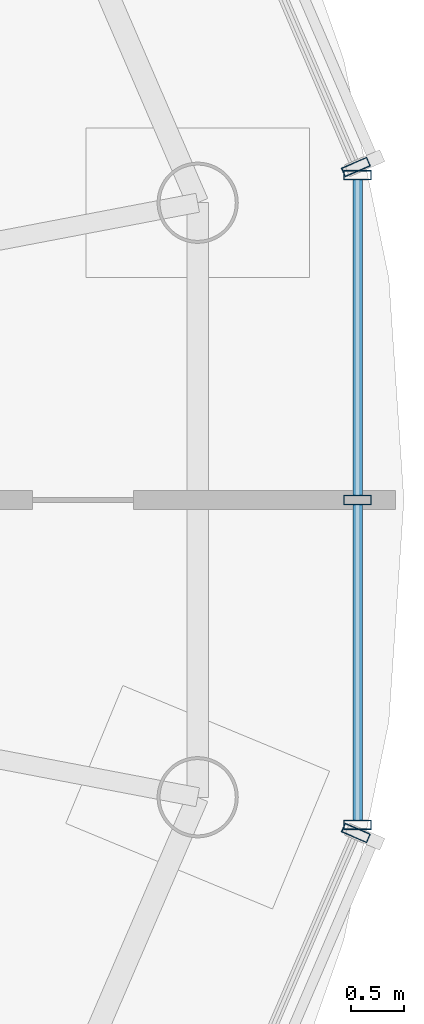
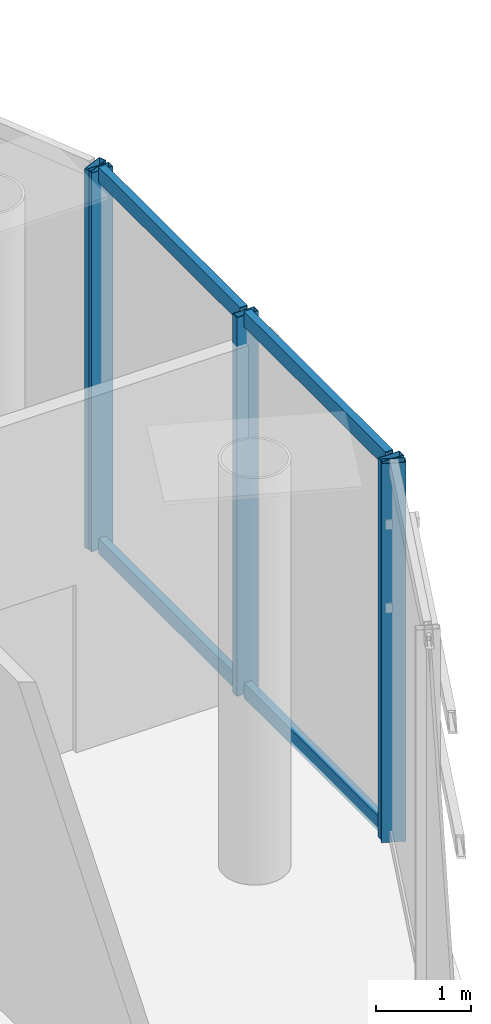
# One storey, part 9 of 13: 9 members, 3 elements without a shape of their own.
"""IFC4 building model written with IfcOpenShell, lengths in metres."""

from ifc_helpers import new_model, si_unit, direction, frame, origin, origin_2d, place, context, subcontext, project, spatial, hollow_rectangle, extrude, source, transform, mapped, material, material_profile, profile_set, type_object, element, aggregate, save


model = new_model("IFC4")

# Units and contexts
model_context = context("Model", 3, precision=1e-05, world=origin(), true_north=direction((-0.2419218956, 0.970295726276)))
body_context = subcontext(model_context, "Body", "Model", "MODEL_VIEW")
ifc_project = project(units=[si_unit("LENGTHUNIT", "METRE"), si_unit("AREAUNIT", "SQUARE_METRE"), si_unit("VOLUMEUNIT", "CUBIC_METRE"), si_unit("PLANEANGLEUNIT", "RADIAN"), si_unit("MASSUNIT", "GRAM", prefix="KILO")], contexts=[model_context])

# Site, building, storey
site_placement = place(None, origin())
site = spatial("IfcSite", under=ifc_project, at=site_placement, CompositionType="ELEMENT")
building_placement = place(site_placement, origin())
building = spatial("IfcBuilding", under=site, at=building_placement, Name="Cobrevalo Terracotta Tower", CompositionType="ELEMENT")
storey_placement = place(building_placement, frame((0.0, 0.0, 332.10009765625)))
storey = spatial("IfcBuildingStorey", under=building, at=storey_placement, Name="L85", CompositionType="ELEMENT", Elevation=332.10009765625)

# Curtain wall, members
ifc_material = material(Name="Anodized aluminium", Category="aluminium")
curtain_wall_type = type_object("IfcCurtainWallType", Name="Faceted glass-point crown structural glazing system CW-CR", PredefinedType="NOTDEFINED", material=ifc_material)
curtain_wall_1_placement = place(storey_placement, origin())
curtain_wall_1 = element("IfcCurtainWall", 1, at=curtain_wall_1_placement, inside=storey, type_object=curtain_wall_type, Name="L85 curtain wall CW-CRN-L85-S16", PredefinedType="NOTDEFINED")
ifc_material_profile_1 = material_profile(ifc_material, hollow_rectangle(XDim=0.090087890625, YDim=0.195068359375, WallThickness=0.005615234375, at=origin_2d()), Name="CWT 90x195")
ifc_profile_set_1 = profile_set([ifc_material_profile_1], Name="Anodized aluminium")
member_type_1 = type_object("IfcMemberType", Name="Crown structural aluminium transom 90x195", PredefinedType="USERDEFINED", material=ifc_profile_set_1)
shared_shape_1 = source(origin(), body_context, "Body", "SweptSolid", [
    extrude(hollow_rectangle(XDim=0.090087890625, YDim=0.195068359375, WallThickness=0.005615234375, at=origin_2d()), origin(), (0.0, 0.0, 1.0), 2.96826171875),
])
member_1_placement = place(storey_placement, frame((54.1142578125, 23.791748046875, 0.0498046875), z_axis=(0.0, 1.0, 0.0), x_axis=(-1.0, 0.0, 0.0)))
member_1 = element("IfcMember", 2, at=member_1_placement, type_object=member_type_1, Name="CW-CRN-L85-S16 transom B01-T1", ObjectType="TRANSOM", PredefinedType="USERDEFINED", context=body_context, shape_type="MappedRepresentation", body=[
    mapped(shared_shape_1, transform((0.0, 0.0, 0.0), scale=1.0)),
])
member_2_placement = place(storey_placement, frame((54.1142578125, 23.791748046875, 4.7998046875), z_axis=(0.0, 1.0, 0.0), x_axis=(-1.0, 0.0, 0.0)))
member_2 = element("IfcMember", 3, at=member_2_placement, type_object=member_type_1, Name="CW-CRN-L85-S16 transom B01-T2", ObjectType="TRANSOM", PredefinedType="USERDEFINED", context=body_context, shape_type="MappedRepresentation", body=[
    mapped(shared_shape_1, transform((0.0, 0.0, 0.0), scale=1.0)),
])
member_3_placement = place(storey_placement, frame((54.1142578125, 26.840087890625, 0.0498046875), z_axis=(0.0, 1.0, 0.0), x_axis=(-1.0, 0.0, 0.0)))
member_3 = element("IfcMember", 4, at=member_3_placement, type_object=member_type_1, Name="CW-CRN-L85-S16 transom B02-T1", ObjectType="TRANSOM", PredefinedType="USERDEFINED", context=body_context, shape_type="MappedRepresentation", body=[
    mapped(shared_shape_1, transform((0.0, 0.0, 0.0), scale=1.0)),
])
member_4_placement = place(storey_placement, frame((54.1142578125, 26.840087890625, 4.7998046875), z_axis=(0.0, 1.0, 0.0), x_axis=(-1.0, 0.0, 0.0)))
member_4 = element("IfcMember", 5, at=member_4_placement, type_object=member_type_1, Name="CW-CRN-L85-S16 transom B02-T2", ObjectType="TRANSOM", PredefinedType="USERDEFINED", context=body_context, shape_type="MappedRepresentation", body=[
    mapped(shared_shape_1, transform((0.0, 0.0, 0.0), scale=1.0)),
])

# Curtain wall, member
curtain_wall_2_placement = place(storey_placement, origin())
curtain_wall_2 = element("IfcCurtainWall", 6, at=curtain_wall_2_placement, inside=storey, type_object=curtain_wall_type, Name="L85 curtain wall CW-CRN-L85-S01", PredefinedType="NOTDEFINED")
ifc_material_profile_2 = material_profile(ifc_material, hollow_rectangle(XDim=0.090087890625, YDim=0.260009765625, WallThickness=0.006103515625, at=origin_2d()), Name="CWM 90x260")
ifc_profile_set_2 = profile_set([ifc_material_profile_2], Name="Anodized aluminium")
member_type_2 = type_object("IfcMemberType", Name="Crown structural glass mullion 90x260", PredefinedType="MULLION", material=ifc_profile_set_2)
shared_shape_2 = source(origin(), body_context, "Body", "SweptSolid", [
    extrude(hollow_rectangle(XDim=0.090087890625, YDim=0.260009765625, WallThickness=0.006103515625, at=origin_2d()), origin(), (0.0, 0.0, 1.0), 4.849853515625),
])
member_5_placement = place(storey_placement, frame((54.098388671875, 29.925048828125, 0.0), z_axis=(0.0, 0.0, 1.0), x_axis=(-0.394968347643, 0.918694728602, 0.0)))
member_5 = element("IfcMember", 7, at=member_5_placement, type_object=member_type_2, Name="CW-CRN-L85-S01 vertical mullion 01", PredefinedType="MULLION", context=body_context, shape_type="MappedRepresentation", body=[
    mapped(shared_shape_2, transform((0.0, 0.0, 0.0), scale=1.0)),
])
aggregate(curtain_wall_2, [member_5])

curtain_wall_3_placement = place(storey_placement, origin())
curtain_wall_3 = element("IfcCurtainWall", 8, at=curtain_wall_3_placement, inside=storey, type_object=curtain_wall_type, Name="L85 curtain wall CW-CRN-L85-S15", PredefinedType="NOTDEFINED")
member_6_placement = place(storey_placement, frame((54.098388671875, 23.675048828125, 0.0), z_axis=(0.0, 0.0, 1.0), x_axis=(0.394968347643, 0.918694728602, 0.0)))
member_6 = element("IfcMember", 9, at=member_6_placement, type_object=member_type_2, Name="CW-CRN-L85-S15 vertical mullion 03", PredefinedType="MULLION", context=body_context, shape_type="MappedRepresentation", body=[
    mapped(shared_shape_2, transform((0.0, 0.0, 0.0), scale=1.0)),
])
aggregate(curtain_wall_3, [member_6])

# Member
member_7_placement = place(storey_placement, frame((54.1142578125, 23.751708984375, 0.0), z_axis=(0.0, 0.0, 1.0), x_axis=(0.0, 1.0, 0.0)))
member_7 = element("IfcMember", 10, at=member_7_placement, type_object=member_type_2, Name="CW-CRN-L85-S16 vertical mullion 01", PredefinedType="MULLION", context=body_context, shape_type="MappedRepresentation", body=[
    mapped(shared_shape_2, transform((0.0, 0.0, 0.0), scale=1.0)),
])

member_8_placement = place(storey_placement, frame((54.1142578125, 26.800048828125, 0.0), z_axis=(0.0, 0.0, 1.0), x_axis=(0.0, 1.0, 0.0)))
member_8 = element("IfcMember", 11, at=member_8_placement, type_object=member_type_2, Name="CW-CRN-L85-S16 vertical mullion 02", PredefinedType="MULLION", context=body_context, shape_type="MappedRepresentation", body=[
    mapped(shared_shape_2, transform((0.0, 0.0, 0.0), scale=1.0)),
])

member_9_placement = place(storey_placement, frame((54.1142578125, 29.848388671875, 0.0), z_axis=(0.0, 0.0, 1.0), x_axis=(0.0, 1.0, 0.0)))
member_9 = element("IfcMember", 12, at=member_9_placement, type_object=member_type_2, Name="CW-CRN-L85-S16 vertical mullion 03", PredefinedType="MULLION", context=body_context, shape_type="MappedRepresentation", body=[
    mapped(shared_shape_2, transform((0.0, 0.0, 0.0), scale=1.0)),
])

aggregate(curtain_wall_1, [member_7, member_8, member_9, member_1, member_2, member_3, member_4])

save(model, "model.ifc")
